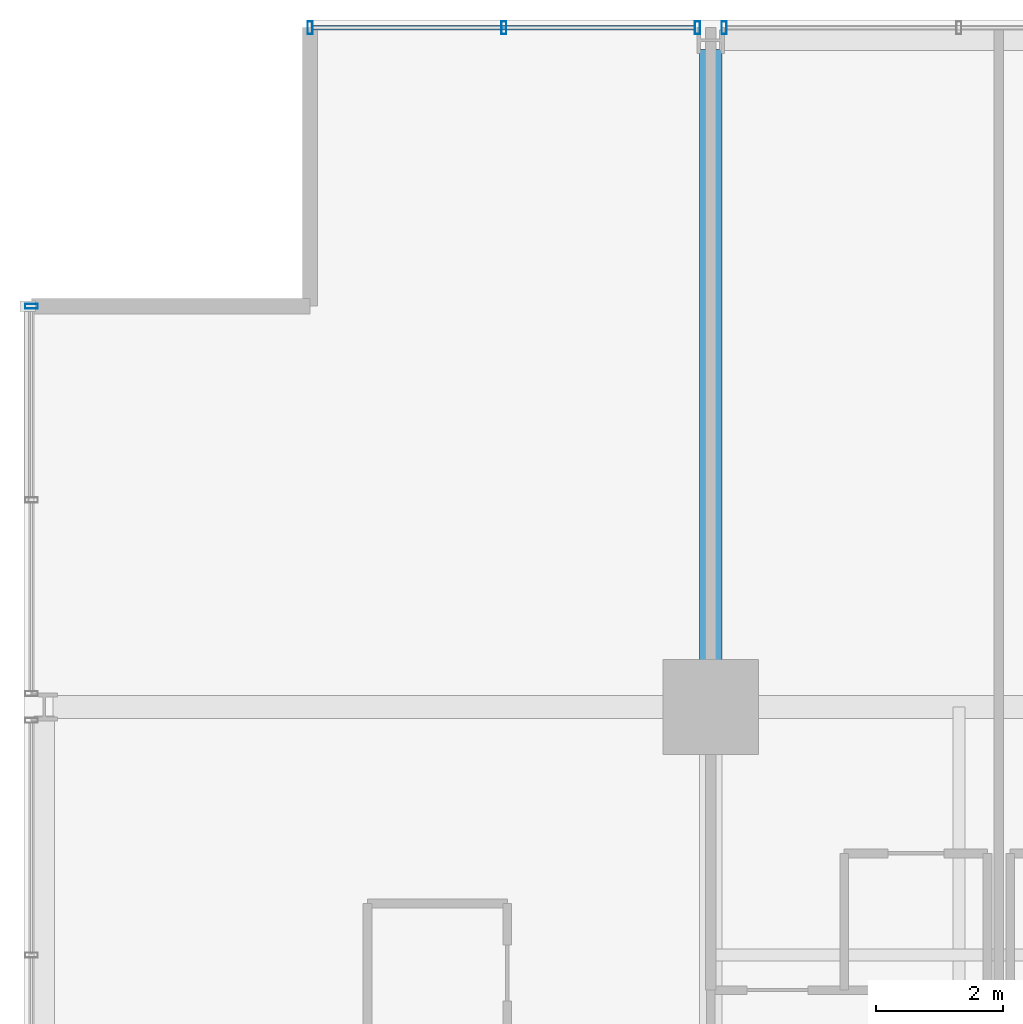
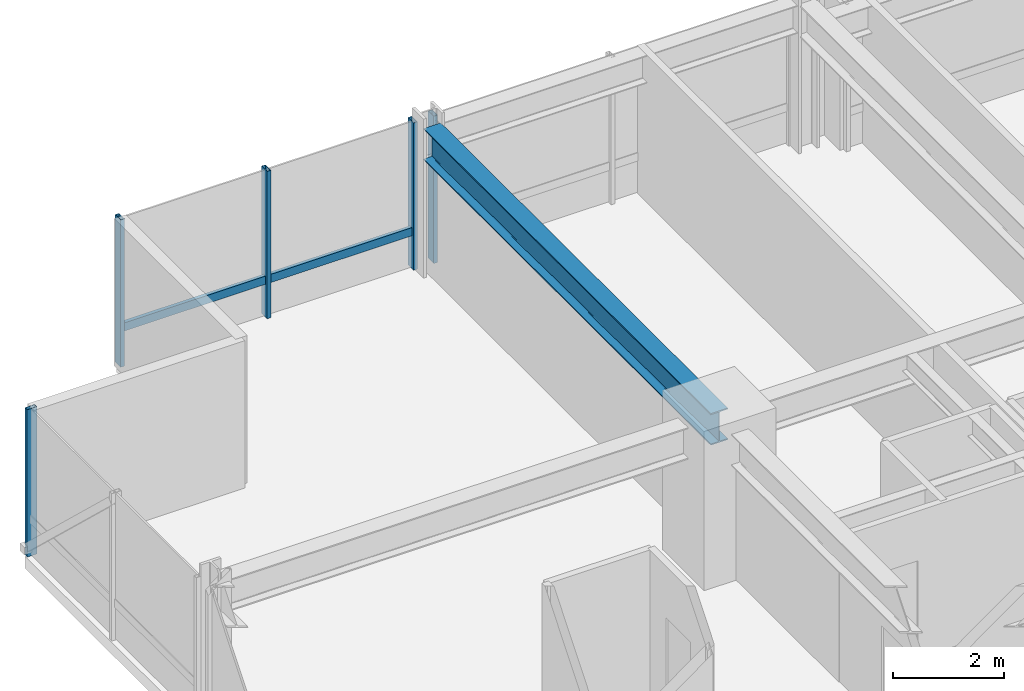
# One storey, part 20 of 34: 6 members, 1 beam, 3 elements without a shape of their own.
"""IFC4 building model written with IfcOpenShell, lengths in metres."""

from ifc_helpers import new_model, si_unit, direction, frame, origin, origin_2d, place, context, subcontext, project, spatial, hollow_rectangle, i_section, extrude, material, layer, layer_set, material_profile, profile_set, type_object, element, aggregate, save


model = new_model("IFC4")

# Units and contexts
model_context = context("Model", 3, precision=1e-05, world=origin(), true_north=direction((0.0, 1.0)))
body_context = subcontext(model_context, "Body", "Model", "MODEL_VIEW")
ifc_project = project(units=[si_unit("LENGTHUNIT", "METRE"), si_unit("AREAUNIT", "SQUARE_METRE"), si_unit("VOLUMEUNIT", "CUBIC_METRE"), si_unit("PLANEANGLEUNIT", "RADIAN"), si_unit("MASSUNIT", "GRAM", prefix="KILO")], contexts=[model_context])

# Site, building, storey
site_placement = place(None, origin())
site = spatial("IfcSite", under=ifc_project, at=site_placement, CompositionType="ELEMENT")
building_placement = place(site_placement, origin())
building = spatial("IfcBuilding", under=site, at=building_placement, Name="Drelvath Grand Hotel", CompositionType="ELEMENT")
storey_placement = place(building_placement, frame((0.0, 0.0, 133.800048828125)))
storey = spatial("IfcBuildingStorey", under=building, at=storey_placement, Name="L34", CompositionType="ELEMENT", Elevation=133.800048828125)

# Curtain wall, member
ifc_material_1 = material(Name="Champagne Bronze Anodised Aluminium Frame", Category="aluminium")
ifc_layer = layer(ifc_material_1, 0.199951171875)
ifc_layer_set = layer_set([ifc_layer], Name="Champagne Bronze Anodised Aluminium Frame")
curtain_wall_type = type_object("IfcCurtainWallType", Name="Stick Curtain Wall CW-03 Champagne Bronze Mid-Rise", PredefinedType="NOTDEFINED", material=ifc_layer_set)
curtain_wall_1_placement = place(storey_placement, origin())
curtain_wall_1 = element("IfcCurtainWall", 1, at=curtain_wall_1_placement, inside=storey, type_object=curtain_wall_type, Name="L34 CW-03 Curtain Wall CW03-L34-NW1", PredefinedType="NOTDEFINED")
ifc_material_profile_1 = material_profile(ifc_material_1, hollow_rectangle(XDim=0.074951171875, YDim=0.179931640625, WallThickness=0.0048828125, at=origin_2d()), Name="HSS180X75X5")
ifc_profile_set_1 = profile_set([ifc_material_profile_1], Name="Champagne Bronze Anodised Aluminium Frame")
member_type_1 = type_object("IfcMemberType", Name="Curtain Wall Horizontal Transom CW-03 HSS180X75X5", PredefinedType="USERDEFINED", material=ifc_profile_set_1)
member_1_placement = place(storey_placement, frame((-22.4599609375, 53.8798828125, 0.81005859375), z_axis=(1.0, 0.0, 0.0), x_axis=(0.0, 1.0, 0.0)))
member_1 = element("IfcMember", 2, at=member_1_placement, type_object=member_type_1, Name="CW03-L34-NW1 Sill Transom", ObjectType="TRANSOM", PredefinedType="USERDEFINED", context=body_context, shape_type="SweptSolid", body=[
    extrude(hollow_rectangle(XDim=0.074951171875, YDim=0.179931640625, WallThickness=0.0048828125, at=origin_2d()), origin(), (0.0, 0.0, 1.0), 6.010498046875),
])

curtain_wall_2_placement = place(storey_placement, origin())
curtain_wall_2 = element("IfcCurtainWall", 3, at=curtain_wall_2_placement, inside=storey, type_object=curtain_wall_type, Name="L34 CW-03 Curtain Wall CW03-L34-WN3", PredefinedType="NOTDEFINED")
ifc_material_profile_2 = material_profile(ifc_material_1, hollow_rectangle(XDim=0.080078125, YDim=0.199951171875, WallThickness=0.0048828125, at=origin_2d()), Name="HSS200X80X5")
ifc_profile_set_2 = profile_set([ifc_material_profile_2], Name="Champagne Bronze Anodised Aluminium Frame")
member_type_2 = type_object("IfcMemberType", Name="Curtain Wall Vertical Mullion CW-03 HSS200X80X5", PredefinedType="MULLION", material=ifc_profile_set_2)
member_2_placement = place(storey_placement, frame((-26.8798828125, 49.5, 0.0), z_axis=(0.0, 0.0, 1.0), x_axis=(0.0, 1.0, 0.0)))
member_2 = element("IfcMember", 4, at=member_2_placement, type_object=member_type_2, Name="CW03-L34-WN3 Mullion 3", PredefinedType="MULLION", context=body_context, shape_type="SweptSolid", body=[
    extrude(hollow_rectangle(XDim=0.080078125, YDim=0.199951171875, WallThickness=0.0048828125, at=origin_2d()), origin(), (0.0, 0.0, 1.0), 3.239990234375),
])
aggregate(curtain_wall_2, [member_2])

# Member
member_3_placement = place(storey_placement, frame((-22.5, 53.8798828125, 0.0), z_axis=(0.0, 0.0, 1.0), x_axis=(1.0, 0.0, 0.0)))
member_3 = element("IfcMember", 5, at=member_3_placement, type_object=member_type_2, Name="CW03-L34-NW1 Mullion 1", PredefinedType="MULLION", context=body_context, shape_type="SweptSolid", body=[
    extrude(hollow_rectangle(XDim=0.080078125, YDim=0.199951171875, WallThickness=0.0048828125, at=origin_2d()), origin(), (0.0, 0.0, 1.0), 3.239990234375),
])

member_4_placement = place(storey_placement, frame((-19.45458984375, 53.8798828125, 0.0), z_axis=(0.0, 0.0, 1.0), x_axis=(1.0, 0.0, 0.0)))
member_4 = element("IfcMember", 6, at=member_4_placement, type_object=member_type_2, Name="CW03-L34-NW1 Mullion 2", PredefinedType="MULLION", context=body_context, shape_type="SweptSolid", body=[
    extrude(hollow_rectangle(XDim=0.080078125, YDim=0.199951171875, WallThickness=0.0048828125, at=origin_2d()), origin(), (0.0, 0.0, 1.0), 3.239990234375),
])

member_5_placement = place(storey_placement, frame((-16.409423828125, 53.8798828125, 0.0), z_axis=(0.0, 0.0, 1.0), x_axis=(1.0, 0.0, 0.0)))
member_5 = element("IfcMember", 7, at=member_5_placement, type_object=member_type_2, Name="CW03-L34-NW1 Mullion 3", PredefinedType="MULLION", context=body_context, shape_type="SweptSolid", body=[
    extrude(hollow_rectangle(XDim=0.080078125, YDim=0.199951171875, WallThickness=0.0048828125, at=origin_2d()), origin(), (0.0, 0.0, 1.0), 3.239990234375),
])

aggregate(curtain_wall_1, [member_3, member_4, member_5, member_1])

# Curtain wall, member
curtain_wall_3_placement = place(storey_placement, origin())
curtain_wall_3 = element("IfcCurtainWall", 8, at=curtain_wall_3_placement, inside=storey, type_object=curtain_wall_type, Name="L34 CW-03 Curtain Wall CW03-L34-NW2", PredefinedType="NOTDEFINED")
member_6_placement = place(storey_placement, frame((-15.990478515625, 53.8798828125, 0.0), z_axis=(0.0, 0.0, 1.0), x_axis=(1.0, 0.0, 0.0)))
member_6 = element("IfcMember", 9, at=member_6_placement, type_object=member_type_2, Name="CW03-L34-NW2 Mullion 1", PredefinedType="MULLION", context=body_context, shape_type="SweptSolid", body=[
    extrude(hollow_rectangle(XDim=0.080078125, YDim=0.199951171875, WallThickness=0.0048828125, at=origin_2d()), origin(), (0.0, 0.0, 1.0), 3.239990234375),
])
aggregate(curtain_wall_3, [member_6])

# Beam
ifc_material_2 = material(Name="Steel ASTM A992 Gr 50", Category="steel")
ifc_material_profile_3 = material_profile(ifc_material_2, i_section(OverallWidth=0.354736328125, OverallDepth=0.695556640625, WebThickness=0.015380859375, FlangeThickness=0.025146484375, FilletRadius=0.02392578125, at=origin_2d()), Name="W27X146")
ifc_profile_set_3 = profile_set([ifc_material_profile_3], Name="Steel ASTM A992 Gr 50")
beam_type = type_object("IfcBeamType", Name="Primary Floor Girder W27X146", PredefinedType="BEAM", material=ifc_profile_set_3)
beam_placement = place(storey_placement, frame((-16.199951171875, 43.199951171875, 2.892333984375), z_axis=(0.0, 1.0, 0.0), x_axis=(-1.0, 0.0, 0.0)))
element("IfcBeam", 10, at=beam_placement, inside=storey, type_object=beam_type, Name="L34 North Grid Girder 3", PredefinedType="BEAM", context=body_context, shape_type="SweptSolid", body=[
    extrude(i_section(OverallWidth=0.354736328125, OverallDepth=0.695556640625, WebThickness=0.015380859375, FlangeThickness=0.025146484375, FilletRadius=0.02392578125, at=origin_2d()), origin(), (0.0, 0.0, 1.0), 10.340087890625),
])

save(model, "model.ifc")
